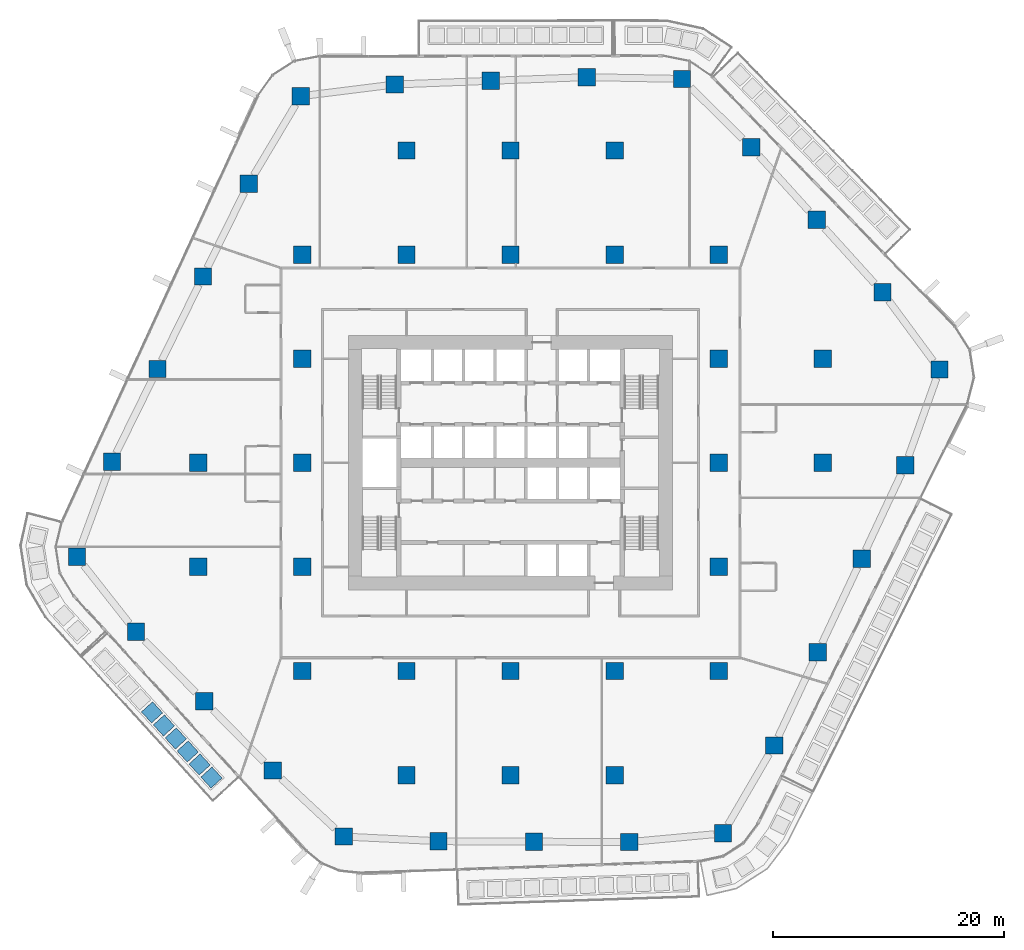
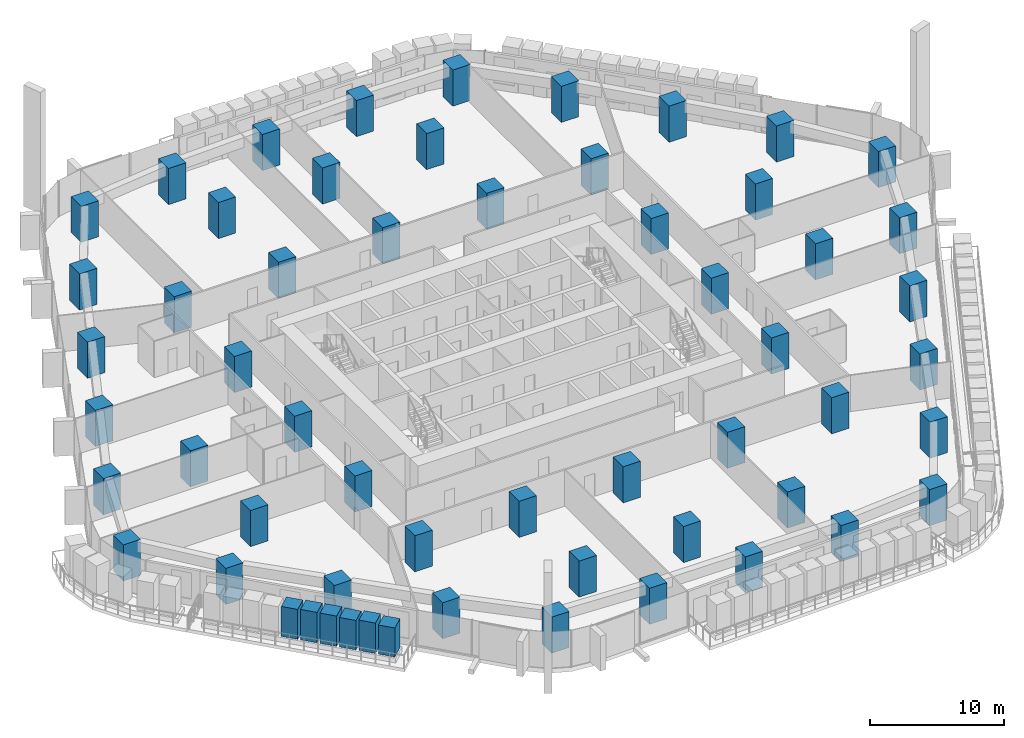
# One storey, part 1 of 26: 52 columns, 6 members.
"""IFC4 building model written with IfcOpenShell, lengths in metres."""

from ifc_helpers import new_model, si_unit, direction, frame, origin, origin_2d, place, context, subcontext, project, spatial, rectangle, extrude, material, material_profile, profile_set, type_object, element, save


model = new_model("IFC4")

# Units and contexts
model_context = context("Model", 3, precision=1e-05, world=origin(), true_north=direction((0.0, 1.0)))
body_context = subcontext(model_context, "Body", "Model", "MODEL_VIEW")
ifc_project = project(units=[si_unit("LENGTHUNIT", "METRE"), si_unit("AREAUNIT", "SQUARE_METRE"), si_unit("VOLUMEUNIT", "CUBIC_METRE"), si_unit("PLANEANGLEUNIT", "RADIAN"), si_unit("MASSUNIT", "GRAM", prefix="KILO")], contexts=[model_context])

# Site, building, storey
site_placement = place(None, origin())
site = spatial("IfcSite", under=ifc_project, at=site_placement, CompositionType="ELEMENT")
building_placement = place(site_placement, origin())
building = spatial("IfcBuilding", under=site, at=building_placement, Name="Dongbaek Canopy Tower", CompositionType="ELEMENT")
storey_placement = place(building_placement, frame((0.0, 0.0, 66.199951171875)))
storey = spatial("IfcBuildingStorey", under=building, at=storey_placement, Name="L12", CompositionType="ELEMENT", Elevation=66.199951171875)

# Columns
ifc_material_1 = material(Name="Concrete C80", Category="concrete")
ifc_material_profile_1 = material_profile(ifc_material_1, rectangle(XDim=1.5, YDim=1.5, at=origin_2d()), Name="RC COLUMN 1500x1500 C80")
ifc_profile_set_1 = profile_set([ifc_material_profile_1], Name="Concrete C80")
column_type = type_object("IfcColumnType", Name="RC COLUMN 1500x1500 C80", PredefinedType="COLUMN", material=ifc_profile_set_1)
for number, where, z_axis, x_axis, name in (
    (1, (18.367919921875, -32.04296875, 0.0), (0.0, 0.0, 1.0), (1.0, 0.0, 0.0), "COL:CZ1-01:L12"),
    (2, (10.277099609375, -32.7900390625, 0.0), (0.0, 0.0, 1.0), (1.0, 0.0, 0.0), "COL:CZ1-02:L12"),
    (3, (2.027099609375, -32.7529296875, 0.0), (0.0, 0.0, 1.0), (1.0, 0.0, 0.0), "COL:CZ1-03:L12"),
    (4, (-6.221923828125, -32.717041015625, 0.0), (0.0, 0.0, 1.0), (1.0, 0.0, 0.0), "COL:CZ1-04:L12"),
    (5, (-14.43408203125, -32.31298828125, 0.0), (0.0, 0.0, 1.0), (1.0, 0.0, 0.0), "COL:CZ1-05:L12"),
    (6, (-20.573974609375, -26.60205078125, 0.0), (0.0, 0.0, 1.0), (1.0, 0.0, 0.0), "COL:CZ1-06:L12"),
    (7, (-26.47802734375, -20.60791015625, 0.0), (0.0, 0.0, 1.0), (1.0, 0.0, 0.0), "COL:CZ1-07:L12"),
    (8, (-32.382080078125, -14.613037109375, 0.0), (0.0, 0.0, 1.0), (1.0, 0.0, 0.0), "COL:CZ1-08:L12"),
    (9, (-37.489013671875, -8.123046875, 0.0), (0.0, 0.0, 1.0), (1.0, 0.0, 0.0), "COL:CZ1-09:L12"),
    (10, (-34.462890625, 0.10302734375, 0.0), (0.0, 0.0, 1.0), (1.0, 0.0, 0.0), "COL:CZ1-10:L12"),
    (11, (-30.52490234375, 8.111083984375, 0.0), (0.0, 0.0, 1.0), (1.0, 0.0, 0.0), "COL:CZ1-11:L12"),
    (12, (-26.5859375, 16.117919921875, 0.0), (0.0, 0.0, 1.0), (1.0, 0.0, 0.0), "COL:CZ1-12:L12"),
    (13, (-22.64794921875, 24.125, 0.0), (0.0, 0.0, 1.0), (1.0, 0.0, 0.0), "COL:CZ1-13:L12"),
    (14, (-18.138916015625, 31.698974609375, 0.0), (0.0, 0.0, 1.0), (1.0, 0.0, 0.0), "COL:CZ1-14:L12"),
    (15, (-10.006103515625, 32.714111328125, 0.0), (0.0, 0.0, 1.0), (1.0, 0.0, 0.0), "COL:CZ1-15:L12"),
    (16, (-1.7080078125, 33.031982421875, 0.0), (0.0, 0.0, 1.0), (1.0, 0.0, 0.0), "COL:CZ1-16:L12"),
    (17, (6.589111328125, 33.34912109375, 0.0), (0.0, 0.0, 1.0), (1.0, 0.0, 0.0), "COL:CZ1-17:L12"),
    (18, (14.830078125, 33.194091796875, 0.0), (0.0, 0.0, 1.0), (1.0, 0.0, 0.0), "COL:CZ1-18:L12"),
    (19, (20.804931640625, 27.297119140625, 0.0), (0.0, 0.0, 1.0), (1.0, 0.0, 0.0), "COL:CZ1-19:L12"),
    (20, (26.48193359375, 21.029052734375, 0.0), (0.0, 0.0, 1.0), (1.0, 0.0, 0.0), "COL:CZ1-20:L12"),
    (21, (32.157958984375, 14.760986328125, 0.0), (0.0, 0.0, 1.0), (1.0, 0.0, 0.0), "COL:CZ1-21:L12"),
    (22, (37.097900390625, 8.06591796875, 0.0), (0.0, 0.0, 1.0), (1.0, 0.0, 0.0), "COL:CZ1-22:L12"),
    (23, (34.14306640625, -0.205078125, 0.0), (0.0, 0.0, 1.0), (1.0, 0.0, 0.0), "COL:CZ1-23:L12"),
    (24, (30.360107421875, -8.283935546875, 0.0), (0.0, 0.0, 1.0), (1.0, 0.0, 0.0), "COL:CZ1-24:L12"),
    (25, (26.575927734375, -16.364013671875, 0.0), (0.0, 0.0, 1.0), (1.0, 0.0, 0.0), "COL:CZ1-25:L12"),
    (26, (22.7919921875, -24.443115234375, 0.0), (0.0, 0.0, 1.0), (1.0, 0.0, 0.0), "COL:CZ1-26:L12"),
    (27, (-27.0, -9.0, 0.0), (0.0, 0.0, 1.0), (1.0, 0.0, 0.0), "COL:CIZ1-01:L12"),
    (28, (-27.0, 0.0, 0.0), (0.0, 0.0, 1.0), (1.0, 0.0, 0.0), "COL:CIZ1-02:L12"),
    (29, (-18.0, -18.0, 0.0), (0.0, 0.0, 1.0), (1.0, 0.0, 0.0), "COL:CIZ1-03:L12"),
    (30, (-18.0, -9.0, 0.0), (0.0, 0.0, 1.0), (1.0, 0.0, 0.0), "COL:CIZ1-04:L12"),
    (31, (-18.0, 0.0, 0.0), (0.0, 0.0, 1.0), (1.0, 0.0, 0.0), "COL:CIZ1-05:L12"),
    (32, (-18.0, 9.0, 0.0), (0.0, 0.0, 1.0), (1.0, 0.0, 0.0), "COL:CIZ1-06:L12"),
    (33, (-18.0, 18.0, 0.0), (0.0, 0.0, 1.0), (1.0, 0.0, 0.0), "COL:CIZ1-07:L12"),
    (34, (-9.0, -27.0, 0.0), (0.0, 0.0, 1.0), (1.0, 0.0, 0.0), "COL:CIZ1-08:L12"),
    (35, (-9.0, -18.0, 0.0), (0.0, 0.0, 1.0), (1.0, 0.0, 0.0), "COL:CIZ1-09:L12"),
    (36, (-9.0, 18.0, 0.0), (0.0, 0.0, 1.0), (1.0, 0.0, 0.0), "COL:CIZ1-10:L12"),
    (37, (-9.0, 27.0, 0.0), (0.0, 0.0, 1.0), (1.0, 0.0, 0.0), "COL:CIZ1-11:L12"),
    (38, (0.0, -27.0, 0.0), (0.0, 0.0, 1.0), (1.0, 0.0, 0.0), "COL:CIZ1-12:L12"),
    (39, (0.0, -18.0, 0.0), (0.0, 0.0, 1.0), (1.0, 0.0, 0.0), "COL:CIZ1-13:L12"),
    (40, (0.0, 18.0, 0.0), (0.0, 0.0, 1.0), (1.0, 0.0, 0.0), "COL:CIZ1-14:L12"),
    (41, (0.0, 27.0, 0.0), (0.0, 0.0, 1.0), (1.0, 0.0, 0.0), "COL:CIZ1-15:L12"),
    (42, (9.0, -27.0, 0.0), (0.0, 0.0, 1.0), (1.0, 0.0, 0.0), "COL:CIZ1-16:L12"),
    (43, (9.0, -18.0, 0.0), (0.0, 0.0, 1.0), (1.0, 0.0, 0.0), "COL:CIZ1-17:L12"),
    (44, (9.0, 18.0, 0.0), (0.0, 0.0, 1.0), (1.0, 0.0, 0.0), "COL:CIZ1-18:L12"),
    (45, (9.0, 27.0, 0.0), (0.0, 0.0, 1.0), (1.0, 0.0, 0.0), "COL:CIZ1-19:L12"),
    (46, (18.0, -18.0, 0.0), (0.0, 0.0, 1.0), (1.0, 0.0, 0.0), "COL:CIZ1-20:L12"),
    (47, (18.0, -9.0, 0.0), (0.0, 0.0, 1.0), (1.0, 0.0, 0.0), "COL:CIZ1-21:L12"),
    (48, (18.0, 0.0, 0.0), (0.0, 0.0, 1.0), (1.0, 0.0, 0.0), "COL:CIZ1-22:L12"),
    (49, (18.0, 9.0, 0.0), (0.0, 0.0, 1.0), (1.0, 0.0, 0.0), "COL:CIZ1-23:L12"),
    (50, (18.0, 18.0, 0.0), (0.0, 0.0, 1.0), (1.0, 0.0, 0.0), "COL:CIZ1-24:L12"),
    (51, (27.0, 0.0, 0.0), (0.0, 0.0, 1.0), (1.0, 0.0, 0.0), "COL:CIZ1-25:L12"),
    (52, (27.0, 9.0, 0.0), (0.0, 0.0, 1.0), (1.0, 0.0, 0.0), "COL:CIZ1-26:L12"),
):
    element("IfcColumn", number, at=place(storey_placement, frame(where, z_axis=z_axis, x_axis=x_axis)), inside=storey, type_object=column_type, Name=name, PredefinedType="COLUMN", context=body_context, shape_type="SweptSolid", body=[
        extrude(rectangle(XDim=1.5, YDim=1.5, at=origin_2d()), origin(), (0.0, 0.0, 1.0), 3.300048828125),
    ])

# Members
ifc_material_2 = material(Name="Concrete C40/50 planter mass with planting", Category="concrete")
ifc_material_profile_2 = material_profile(ifc_material_2, rectangle(XDim=1.300048828125, YDim=1.300048828125, at=origin_2d()), Name="Terrace PLANTER shrub mass 1300 x 1300")
ifc_profile_set_2 = profile_set([ifc_material_profile_2], Name="Concrete C40/50 planter mass with planting")
member_type = type_object("IfcMemberType", Name="Terrace PLANTER shrub mass 1300 x 1300", PredefinedType="USERDEFINED", material=ifc_profile_set_2)
member_1_placement = place(storey_placement, frame((-30.9951171875, -21.578369140625, 0.420166015625), z_axis=(0.0, 0.0, 1.0), x_axis=(-0.738720005108, -0.674012428708, 0.0)))
element("IfcMember", 53, at=member_1_placement, inside=storey, type_object=member_type, Name="Planter shrubs L12 3.5", ObjectType="PLANTER", PredefinedType="USERDEFINED", context=body_context, shape_type="SweptSolid", body=[
    extrude(rectangle(XDim=1.300048828125, YDim=1.300048828125, at=origin_2d()), origin(), (0.0, 0.0, 1.0), 2.72998046875),
])
member_2_placement = place(storey_placement, frame((-29.967041015625, -22.705322265625, 0.420166015625), z_axis=(0.0, 0.0, 1.0), x_axis=(-0.738720005108, -0.674012428708, 0.0)))
element("IfcMember", 54, at=member_2_placement, inside=storey, type_object=member_type, Name="Planter shrubs L12 3.6", ObjectType="PLANTER", PredefinedType="USERDEFINED", context=body_context, shape_type="SweptSolid", body=[
    extrude(rectangle(XDim=1.300048828125, YDim=1.300048828125, at=origin_2d()), origin(), (0.0, 0.0, 1.0), 2.77978515625),
])
member_3_placement = place(storey_placement, frame((-28.93896484375, -23.83203125, 0.420166015625), z_axis=(0.0, 0.0, 1.0), x_axis=(-0.738720005108, -0.674012428708, 0.0)))
element("IfcMember", 55, at=member_3_placement, inside=storey, type_object=member_type, Name="Planter shrubs L12 3.7", ObjectType="PLANTER", PredefinedType="USERDEFINED", context=body_context, shape_type="SweptSolid", body=[
    extrude(rectangle(XDim=1.300048828125, YDim=1.300048828125, at=origin_2d()), origin(), (0.0, 0.0, 1.0), 2.769775390625),
])
member_4_placement = place(storey_placement, frame((-27.91064453125, -24.958740234375, 0.420166015625), z_axis=(0.0, 0.0, 1.0), x_axis=(-0.738720005108, -0.674012428708, 0.0)))
element("IfcMember", 56, at=member_4_placement, inside=storey, type_object=member_type, Name="Planter shrubs L12 3.8", ObjectType="PLANTER", PredefinedType="USERDEFINED", context=body_context, shape_type="SweptSolid", body=[
    extrude(rectangle(XDim=1.300048828125, YDim=1.300048828125, at=origin_2d()), origin(), (0.0, 0.0, 1.0), 2.68994140625),
])
member_5_placement = place(storey_placement, frame((-26.882568359375, -26.085693359375, 0.420166015625), z_axis=(0.0, 0.0, 1.0), x_axis=(-0.738720005108, -0.674012428708, 0.0)))
element("IfcMember", 57, at=member_5_placement, inside=storey, type_object=member_type, Name="Planter shrubs L12 3.9", ObjectType="PLANTER", PredefinedType="USERDEFINED", context=body_context, shape_type="SweptSolid", body=[
    extrude(rectangle(XDim=1.300048828125, YDim=1.300048828125, at=origin_2d()), origin(), (0.0, 0.0, 1.0), 2.77978515625),
])
member_6_placement = place(storey_placement, frame((-25.8544921875, -27.21240234375, 0.420166015625), z_axis=(0.0, 0.0, 1.0), x_axis=(-0.738720005108, -0.674012428708, 0.0)))
element("IfcMember", 58, at=member_6_placement, inside=storey, type_object=member_type, Name="Planter shrubs L12 3.10", ObjectType="PLANTER", PredefinedType="USERDEFINED", context=body_context, shape_type="SweptSolid", body=[
    extrude(rectangle(XDim=1.300048828125, YDim=1.300048828125, at=origin_2d()), origin(), (0.0, 0.0, 1.0), 2.64990234375),
])

save(model, "model.ifc")
